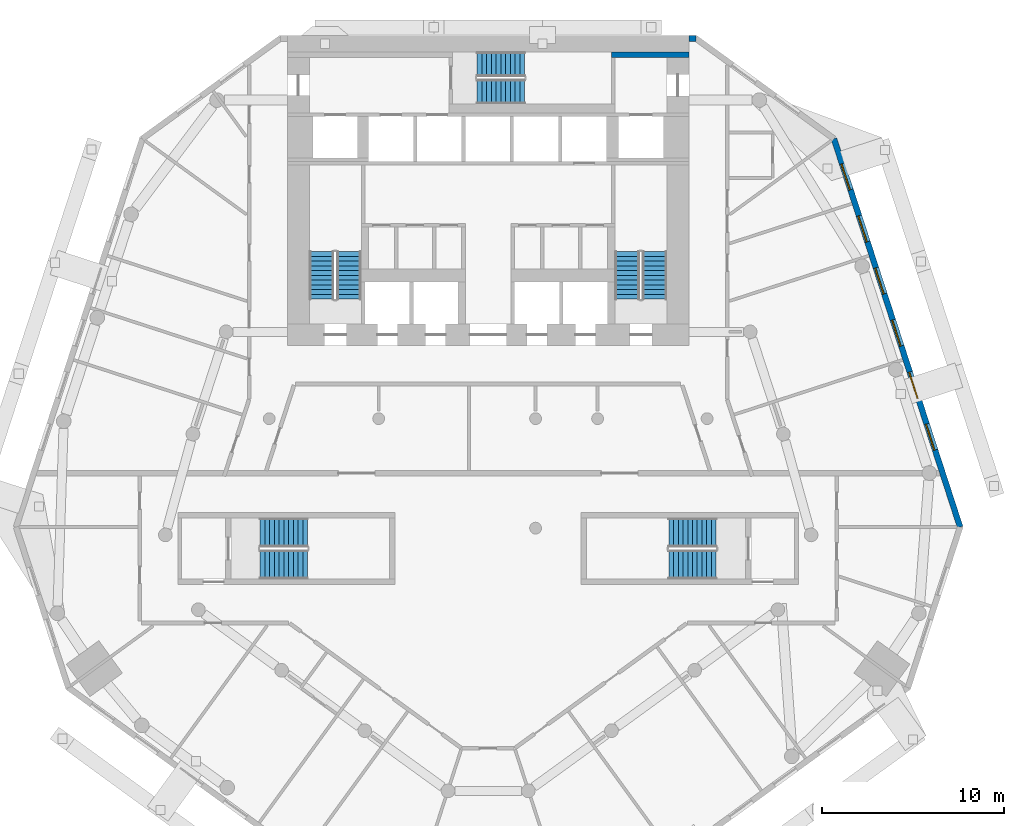
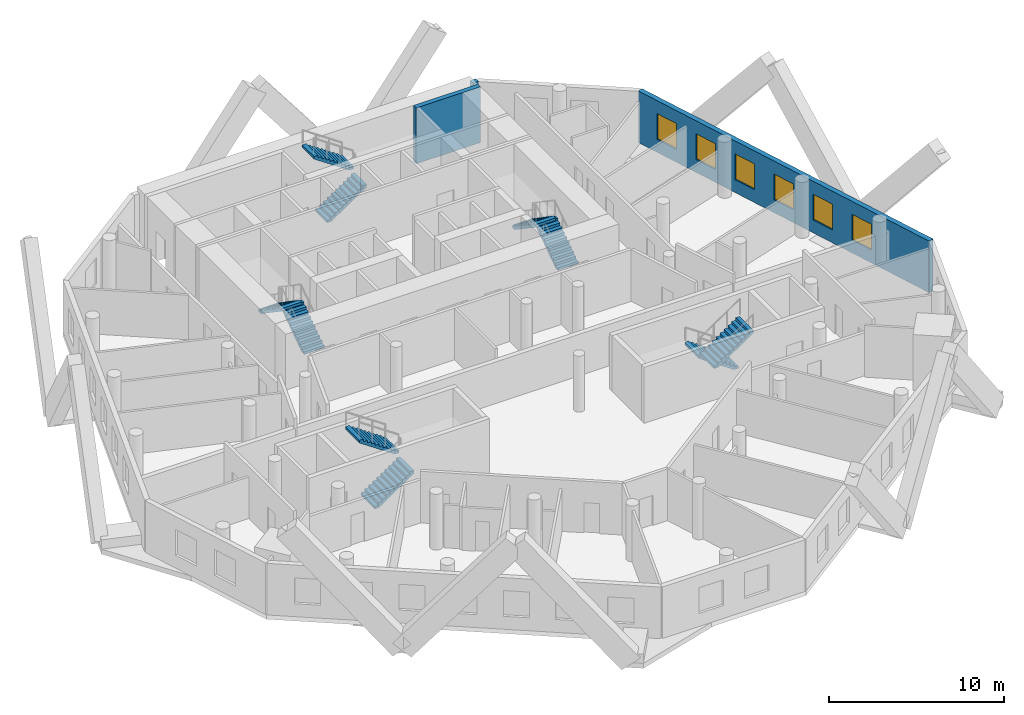
# One storey, part 8 of 10: 10 stair flights, 6 windows, 3 walls, 6 openings, 5 elements without a shape of their own.
"""IFC4 building model written with IfcOpenShell, lengths in metres."""

from ifc_helpers import new_model, si_unit, direction, frame, frame_2d, origin, place, context, subcontext, project, spatial, polyline, rectangle, outline, extrude, material, layer, layer_set, type_object, element, fill, aggregate, save


model = new_model("IFC4")

# Units and contexts
model_context = context("Model", 3, precision=1e-05, world=origin(), true_north=direction((0.0, 1.0)))
body_context = subcontext(model_context, "Body", "Model", "MODEL_VIEW")
ifc_project = project(units=[si_unit("LENGTHUNIT", "METRE"), si_unit("AREAUNIT", "SQUARE_METRE"), si_unit("VOLUMEUNIT", "CUBIC_METRE"), si_unit("PLANEANGLEUNIT", "RADIAN"), si_unit("MASSUNIT", "GRAM", prefix="KILO")], contexts=[model_context])

# Site, building, storey
site_placement = place(None, origin())
site = spatial("IfcSite", under=ifc_project, at=site_placement, CompositionType="ELEMENT")
building_placement = place(site_placement, origin())
building = spatial("IfcBuilding", under=site, at=building_placement, Name="White Candle Pilgrim Tower", CompositionType="ELEMENT")
storey_placement = place(building_placement, frame((0.0, 0.0, 78.0)))
storey = spatial("IfcBuildingStorey", under=building, at=storey_placement, Name="L16", CompositionType="ELEMENT", Elevation=78.0)

# Wall, openings, windows
ifc_material_1 = material(Name="Precast concrete C40/50", Category="concrete")
ifc_layer_1 = layer(ifc_material_1, 0.320068359375)
ifc_layer_set_1 = layer_set([ifc_layer_1], Name="Facade wall EW1 precast concrete C40/50 pier wall with timber-lined reveals")
wall_type_1 = type_object("IfcWallType", Name="Facade wall EW1 precast concrete C40/50 pier wall with timber-lined reveals", PredefinedType="SOLIDWALL", material=ifc_layer_set_1)
wall_1_placement = place(storey_placement, frame((95.868408203125, 61.059814453125, 0.0), z_axis=(0.0, 0.0, 1.0), x_axis=(-0.309020941063, 0.951055233929, 0.0)))
wall_1 = element("IfcWall", 1, at=wall_1_placement, inside=storey, type_object=wall_type_1, Name="Facade wall L16 ENE", PredefinedType="SOLIDWALL", context=body_context, shape_type="SweptSolid", body=[
    extrude(rectangle(XDim=22.37646484375, YDim=0.320068359375, at=frame_2d((11.188232421875, 0.0))), origin(), (0.0, 0.0, 1.0), 3.60009765625),
])
opening_1_placement = place(wall_1_placement, frame((4.438232421875, 0.0, 0.89990234375)))
opening_1 = element("IfcOpeningElement", 2, at=opening_1_placement, cuts=wall_1, Name="Opening W1", PredefinedType="OPENING", context=body_context, shape_type="SweptSolid", body=[
    extrude(rectangle(XDim=1.5, YDim=1.800048828125, at=frame_2d((0.75, 0.89990234375))), frame((0.0, 0.169921875, 0.0), z_axis=(0.0, -1.0, 0.0), x_axis=(1.0, 0.0, 0.0)), (0.0, 0.0, 1.0), 0.340087890625),
])
opening_2_placement = place(wall_1_placement, frame((7.438232421875, 0.0, 0.89990234375)))
opening_2 = element("IfcOpeningElement", 3, at=opening_2_placement, cuts=wall_1, Name="Opening W1", PredefinedType="OPENING", context=body_context, shape_type="SweptSolid", body=[
    extrude(rectangle(XDim=1.5, YDim=1.800048828125, at=frame_2d((0.75, 0.89990234375))), frame((0.0, 0.169921875, 0.0), z_axis=(0.0, -1.0, 0.0), x_axis=(1.0, 0.0, 0.0)), (0.0, 0.0, 1.0), 0.340087890625),
])
opening_3_placement = place(wall_1_placement, frame((10.438232421875, 0.0, 0.89990234375)))
opening_3 = element("IfcOpeningElement", 4, at=opening_3_placement, cuts=wall_1, Name="Opening W1", PredefinedType="OPENING", context=body_context, shape_type="SweptSolid", body=[
    extrude(rectangle(XDim=1.5, YDim=1.800048828125, at=frame_2d((0.75, 0.89990234375))), frame((0.0, 0.169921875, 0.0), z_axis=(0.0, -1.0, 0.0), x_axis=(1.0, 0.0, 0.0)), (0.0, 0.0, 1.0), 0.340087890625),
])
opening_4_placement = place(wall_1_placement, frame((13.438232421875, 0.0, 0.89990234375)))
opening_4 = element("IfcOpeningElement", 5, at=opening_4_placement, cuts=wall_1, Name="Opening W1", PredefinedType="OPENING", context=body_context, shape_type="SweptSolid", body=[
    extrude(rectangle(XDim=1.5, YDim=1.800048828125, at=frame_2d((0.75, 0.89990234375))), frame((0.0, 0.169921875, 0.0), z_axis=(0.0, -1.0, 0.0), x_axis=(1.0, 0.0, 0.0)), (0.0, 0.0, 1.0), 0.340087890625),
])
opening_5_placement = place(wall_1_placement, frame((16.438232421875, 0.0, 0.89990234375)))
opening_5 = element("IfcOpeningElement", 6, at=opening_5_placement, cuts=wall_1, Name="Opening W1", PredefinedType="OPENING", context=body_context, shape_type="SweptSolid", body=[
    extrude(rectangle(XDim=1.5, YDim=1.800048828125, at=frame_2d((0.75, 0.89990234375))), frame((0.0, 0.169921875, 0.0), z_axis=(0.0, -1.0, 0.0), x_axis=(1.0, 0.0, 0.0)), (0.0, 0.0, 1.0), 0.340087890625),
])
opening_6_placement = place(wall_1_placement, frame((19.438232421875, 0.0, 0.89990234375)))
opening_6 = element("IfcOpeningElement", 7, at=opening_6_placement, cuts=wall_1, Name="Opening W1", PredefinedType="OPENING", context=body_context, shape_type="SweptSolid", body=[
    extrude(rectangle(XDim=1.5, YDim=1.800048828125, at=frame_2d((0.75, 0.89990234375))), frame((0.0, 0.169921875, 0.0), z_axis=(0.0, -1.0, 0.0), x_axis=(1.0, 0.0, 0.0)), (0.0, 0.0, 1.0), 0.340087890625),
])
ifc_material_2 = material(Name="Timber frame with triple glazing", Category="wood")
window_type = type_object("IfcWindowType", Name="Window W1 1500x1800 timber frame triple glazing", PartitioningType="SINGLE_PANEL", PredefinedType="WINDOW", material=ifc_material_2)
window_1_placement = place(opening_1_placement, origin())
window_1 = element("IfcWindow", 8, at=window_1_placement, inside=storey, type_object=window_type, Name="Window W1 L16 ENE 2", OverallHeight=1.800048828125, OverallWidth=1.5, PartitioningType="SINGLE_PANEL", PredefinedType="WINDOW", context=body_context, shape_type="SweptSolid", body=[
    extrude(rectangle(XDim=1.5, YDim=1.800048828125, at=frame_2d((0.75, 0.89990234375))), frame((0.0, 0.070068359375, 0.0), z_axis=(0.0, -1.0, 0.0), x_axis=(1.0, 0.0, 0.0)), (0.0, 0.0, 1.0), 0.06005859375),
])
fill(opening_1, window_1)
window_2_placement = place(opening_2_placement, origin())
window_2 = element("IfcWindow", 9, at=window_2_placement, inside=storey, type_object=window_type, Name="Window W1 L16 ENE 3", OverallHeight=1.800048828125, OverallWidth=1.5, PartitioningType="SINGLE_PANEL", PredefinedType="WINDOW", context=body_context, shape_type="SweptSolid", body=[
    extrude(rectangle(XDim=1.5, YDim=1.800048828125, at=frame_2d((0.75, 0.89990234375))), frame((0.0, 0.070068359375, 0.0), z_axis=(0.0, -1.0, 0.0), x_axis=(1.0, 0.0, 0.0)), (0.0, 0.0, 1.0), 0.06005859375),
])
fill(opening_2, window_2)
window_3_placement = place(opening_3_placement, origin())
window_3 = element("IfcWindow", 10, at=window_3_placement, inside=storey, type_object=window_type, Name="Window W1 L16 ENE 4", OverallHeight=1.800048828125, OverallWidth=1.5, PartitioningType="SINGLE_PANEL", PredefinedType="WINDOW", context=body_context, shape_type="SweptSolid", body=[
    extrude(rectangle(XDim=1.5, YDim=1.800048828125, at=frame_2d((0.75, 0.89990234375))), frame((0.0, 0.070068359375, 0.0), z_axis=(0.0, -1.0, 0.0), x_axis=(1.0, 0.0, 0.0)), (0.0, 0.0, 1.0), 0.06005859375),
])
fill(opening_3, window_3)
window_4_placement = place(opening_4_placement, origin())
window_4 = element("IfcWindow", 11, at=window_4_placement, inside=storey, type_object=window_type, Name="Window W1 L16 ENE 5", OverallHeight=1.800048828125, OverallWidth=1.5, PartitioningType="SINGLE_PANEL", PredefinedType="WINDOW", context=body_context, shape_type="SweptSolid", body=[
    extrude(rectangle(XDim=1.5, YDim=1.800048828125, at=frame_2d((0.75, 0.89990234375))), frame((0.0, 0.070068359375, 0.0), z_axis=(0.0, -1.0, 0.0), x_axis=(1.0, 0.0, 0.0)), (0.0, 0.0, 1.0), 0.06005859375),
])
fill(opening_4, window_4)
window_5_placement = place(opening_5_placement, origin())
window_5 = element("IfcWindow", 12, at=window_5_placement, inside=storey, type_object=window_type, Name="Window W1 L16 ENE 6", OverallHeight=1.800048828125, OverallWidth=1.5, PartitioningType="SINGLE_PANEL", PredefinedType="WINDOW", context=body_context, shape_type="SweptSolid", body=[
    extrude(rectangle(XDim=1.5, YDim=1.800048828125, at=frame_2d((0.75, 0.89990234375))), frame((0.0, 0.070068359375, 0.0), z_axis=(0.0, -1.0, 0.0), x_axis=(1.0, 0.0, 0.0)), (0.0, 0.0, 1.0), 0.06005859375),
])
fill(opening_5, window_5)
window_6_placement = place(opening_6_placement, origin())
window_6 = element("IfcWindow", 13, at=window_6_placement, inside=storey, type_object=window_type, Name="Window W1 L16 ENE 7", OverallHeight=1.800048828125, OverallWidth=1.5, PartitioningType="SINGLE_PANEL", PredefinedType="WINDOW", context=body_context, shape_type="SweptSolid", body=[
    extrude(rectangle(XDim=1.5, YDim=1.800048828125, at=frame_2d((0.75, 0.89990234375))), frame((0.0, 0.070068359375, 0.0), z_axis=(0.0, -1.0, 0.0), x_axis=(1.0, 0.0, 0.0)), (0.0, 0.0, 1.0), 0.06005859375),
])
fill(opening_6, window_6)

# Walls
wall_2_placement = place(storey_placement, frame((81.385009765625, 87.840087890625, 0.0), z_axis=(0.0, 0.0, 1.0), x_axis=(-1.0, 0.0, 0.0)))
element("IfcWall", 14, at=wall_2_placement, inside=storey, type_object=wall_type_1, Name="Facade wall L16 N", PredefinedType="SOLIDWALL", context=body_context, shape_type="SweptSolid", body=[
    extrude(rectangle(XDim=0.385009765625, YDim=0.320068359375, at=frame_2d((0.1923828125, 0.0))), origin(), (0.0, 0.0, 1.0), 3.60009765625),
])
ifc_material_3 = material(Name="Concrete C70/85", Category="concrete")
ifc_layer_2 = layer(ifc_material_3, 0.300048828125)
ifc_layer_set_2 = layer_set([ifc_layer_2], Name="Stair shaft wall 300 mm Concrete C70/85")
wall_type_2 = type_object("IfcWallType", Name="Stair shaft wall 300 mm Concrete C70/85", PredefinedType="SHEAR", material=ifc_layer_set_2)
wall_3_placement = place(storey_placement, frame((76.75, 86.949951171875, 0.0), z_axis=(0.0, 0.0, 1.0), x_axis=(1.0, 0.0, 0.0)))
element("IfcWall", 15, at=wall_3_placement, inside=storey, type_object=wall_type_2, Name="WL-L16-C52", PredefinedType="SHEAR", context=body_context, shape_type="SweptSolid", body=[
    extrude(rectangle(XDim=4.25, YDim=0.300048828125, at=frame_2d((2.125, 0.0))), origin(), (0.0, 0.0, 1.0), 3.89990234375),
])

# Stair, stair flights
ifc_material_4 = material(Name="Concrete C40/50", Category="concrete")
stair_type_1 = type_object("IfcStairType", Name="Exit stair 1 flight width 1350 mm", PredefinedType="HALF_TURN_STAIR", material=ifc_material_4)
stair_1_placement = place(storey_placement, origin())
stair_1 = element("IfcStair", 16, at=stair_1_placement, inside=storey, type_object=stair_type_1, Name="L16 stair 1", PredefinedType="NOTDEFINED")
ifc_layer_3 = layer(ifc_material_4, 0.14990234375)
ifc_layer_set_3 = layer_set([ifc_layer_3], Name="Stair flight Concrete C40/50")
stair_flight_type = type_object("IfcStairFlightType", Name="Stair flight Concrete C40/50", PredefinedType="STRAIGHT", material=ifc_layer_set_3)
stair_flight_1_placement = place(storey_placement, frame((62.375, 73.550048828125, 0.0), z_axis=(0.0, 0.0, 1.0), x_axis=(0.0, 1.0, 0.0)))
stair_flight_1 = element("IfcStairFlight", 17, at=stair_flight_1_placement, type_object=stair_flight_type, Name="ST1 flight 1", NumberOfRisers=11, NumberOfTreads=10, PredefinedType="NOTDEFINED", RiserHeight=0.177272727, TreadLength=0.26, context=body_context, shape_type="SweptSolid", body=[
    extrude(outline(polyline([(0.0, 0.0), (0.0, 0.17724609375), (0.260009765625, 0.17724609375), (0.260009765625, 0.3544921875), (0.52001953125, 0.3544921875), (0.52001953125, 0.53173828125), (0.780029296875, 0.53173828125), (0.780029296875, 0.708984375), (1.0400390625, 0.708984375), (1.0400390625, 0.886474609375), (1.300048828125, 0.886474609375), (1.300048828125, 1.063720703125), (1.56005859375, 1.063720703125), (1.56005859375, 1.240966796875), (1.820068359375, 1.240966796875), (1.820068359375, 1.418212890625), (2.080078125, 1.418212890625), (2.080078125, 1.595458984375), (2.340087890625, 1.595458984375), (2.340087890625, 1.772705078125), (2.60009765625, 1.772705078125), (2.60009765625, 1.949951171875), (2.60009765625, 1.59130859375), (0.26611328125, 0.0), (0.0, 0.0)])), frame((0.0, 0.675048828125, 0.0), z_axis=(0.0, -1.0, 0.0), x_axis=(1.0, 0.0, 0.0)), (0.0, 0.0, 1.0), 1.35009765625),
])
stair_flight_2_placement = place(storey_placement, frame((60.875, 76.14990234375, 1.949951171875), z_axis=(0.0, 0.0, 1.0), x_axis=(0.0, -1.0, 0.0)))
stair_flight_2 = element("IfcStairFlight", 18, at=stair_flight_2_placement, type_object=stair_flight_type, Name="ST1 flight 2", NumberOfRisers=11, NumberOfTreads=10, PredefinedType="NOTDEFINED", RiserHeight=0.177272727, TreadLength=0.26, context=body_context, shape_type="SweptSolid", body=[
    extrude(outline(polyline([(0.0, 0.0), (0.0, 0.17724609375), (0.260009765625, 0.17724609375), (0.260009765625, 0.3544921875), (0.52001953125, 0.3544921875), (0.52001953125, 0.53173828125), (0.780029296875, 0.53173828125), (0.780029296875, 0.708984375), (1.0400390625, 0.708984375), (1.0400390625, 0.886474609375), (1.300048828125, 0.886474609375), (1.300048828125, 1.063720703125), (1.56005859375, 1.063720703125), (1.56005859375, 1.240966796875), (1.820068359375, 1.240966796875), (1.820068359375, 1.418212890625), (2.080078125, 1.418212890625), (2.080078125, 1.595458984375), (2.340087890625, 1.595458984375), (2.340087890625, 1.772705078125), (2.60009765625, 1.772705078125), (2.60009765625, 1.949951171875), (2.60009765625, 1.59130859375), (0.26611328125, 0.0), (0.0, 0.0)])), frame((0.0, 0.675048828125, 0.0), z_axis=(0.0, -1.0, 0.0), x_axis=(1.0, 0.0, 0.0)), (0.0, 0.0, 1.0), 1.35009765625),
])
aggregate(stair_1, [stair_flight_1, stair_flight_2])

stair_type_2 = type_object("IfcStairType", Name="Exit stair 2 flight width 1350 mm", PredefinedType="HALF_TURN_STAIR", material=ifc_material_4)
stair_2_placement = place(storey_placement, origin())
stair_2 = element("IfcStair", 19, at=stair_2_placement, inside=storey, type_object=stair_type_2, Name="L16 stair 2", PredefinedType="NOTDEFINED")
stair_flight_3_placement = place(storey_placement, frame((79.125, 73.550048828125, 0.0), z_axis=(0.0, 0.0, 1.0), x_axis=(0.0, 1.0, 0.0)))
stair_flight_3 = element("IfcStairFlight", 20, at=stair_flight_3_placement, type_object=stair_flight_type, Name="ST2 flight 1", NumberOfRisers=11, NumberOfTreads=10, PredefinedType="NOTDEFINED", RiserHeight=0.177272727, TreadLength=0.26, context=body_context, shape_type="SweptSolid", body=[
    extrude(outline(polyline([(0.0, 0.0), (0.0, 0.17724609375), (0.260009765625, 0.17724609375), (0.260009765625, 0.3544921875), (0.52001953125, 0.3544921875), (0.52001953125, 0.53173828125), (0.780029296875, 0.53173828125), (0.780029296875, 0.708984375), (1.0400390625, 0.708984375), (1.0400390625, 0.886474609375), (1.300048828125, 0.886474609375), (1.300048828125, 1.063720703125), (1.56005859375, 1.063720703125), (1.56005859375, 1.240966796875), (1.820068359375, 1.240966796875), (1.820068359375, 1.418212890625), (2.080078125, 1.418212890625), (2.080078125, 1.595458984375), (2.340087890625, 1.595458984375), (2.340087890625, 1.772705078125), (2.60009765625, 1.772705078125), (2.60009765625, 1.949951171875), (2.60009765625, 1.59130859375), (0.26611328125, 0.0), (0.0, 0.0)])), frame((0.0, 0.675048828125, 0.0), z_axis=(0.0, -1.0, 0.0), x_axis=(1.0, 0.0, 0.0)), (0.0, 0.0, 1.0), 1.35009765625),
])
stair_flight_4_placement = place(storey_placement, frame((77.625, 76.14990234375, 1.949951171875), z_axis=(0.0, 0.0, 1.0), x_axis=(0.0, -1.0, 0.0)))
stair_flight_4 = element("IfcStairFlight", 21, at=stair_flight_4_placement, type_object=stair_flight_type, Name="ST2 flight 2", NumberOfRisers=11, NumberOfTreads=10, PredefinedType="NOTDEFINED", RiserHeight=0.177272727, TreadLength=0.26, context=body_context, shape_type="SweptSolid", body=[
    extrude(outline(polyline([(0.0, 0.0), (0.0, 0.17724609375), (0.260009765625, 0.17724609375), (0.260009765625, 0.3544921875), (0.52001953125, 0.3544921875), (0.52001953125, 0.53173828125), (0.780029296875, 0.53173828125), (0.780029296875, 0.708984375), (1.0400390625, 0.708984375), (1.0400390625, 0.886474609375), (1.300048828125, 0.886474609375), (1.300048828125, 1.063720703125), (1.56005859375, 1.063720703125), (1.56005859375, 1.240966796875), (1.820068359375, 1.240966796875), (1.820068359375, 1.418212890625), (2.080078125, 1.418212890625), (2.080078125, 1.595458984375), (2.340087890625, 1.595458984375), (2.340087890625, 1.772705078125), (2.60009765625, 1.772705078125), (2.60009765625, 1.949951171875), (2.60009765625, 1.59130859375), (0.26611328125, 0.0), (0.0, 0.0)])), frame((0.0, 0.675048828125, 0.0), z_axis=(0.0, -1.0, 0.0), x_axis=(1.0, 0.0, 0.0)), (0.0, 0.0, 1.0), 1.35009765625),
])
aggregate(stair_2, [stair_flight_3, stair_flight_4])

stair_type_3 = type_object("IfcStairType", Name="Exit stair 3 flight width 1350 mm", PredefinedType="HALF_TURN_STAIR", material=ifc_material_4)
stair_3_placement = place(storey_placement, origin())
stair_3 = element("IfcStair", 22, at=stair_3_placement, inside=storey, type_object=stair_type_3, Name="L16 stair 3", PredefinedType="NOTDEFINED")
stair_flight_5_placement = place(storey_placement, frame((69.39990234375, 84.925048828125, 0.0), z_axis=(0.0, 0.0, 1.0), x_axis=(1.0, 0.0, 0.0)))
stair_flight_5 = element("IfcStairFlight", 23, at=stair_flight_5_placement, type_object=stair_flight_type, Name="ST3 flight 1", NumberOfRisers=11, NumberOfTreads=10, PredefinedType="NOTDEFINED", RiserHeight=0.177272727, TreadLength=0.26, context=body_context, shape_type="SweptSolid", body=[
    extrude(outline(polyline([(0.0, 0.0), (0.0, 0.17724609375), (0.260009765625, 0.17724609375), (0.260009765625, 0.3544921875), (0.52001953125, 0.3544921875), (0.52001953125, 0.53173828125), (0.780029296875, 0.53173828125), (0.780029296875, 0.708984375), (1.0400390625, 0.708984375), (1.0400390625, 0.886474609375), (1.300048828125, 0.886474609375), (1.300048828125, 1.063720703125), (1.56005859375, 1.063720703125), (1.56005859375, 1.240966796875), (1.820068359375, 1.240966796875), (1.820068359375, 1.418212890625), (2.080078125, 1.418212890625), (2.080078125, 1.595458984375), (2.340087890625, 1.595458984375), (2.340087890625, 1.772705078125), (2.60009765625, 1.772705078125), (2.60009765625, 1.949951171875), (2.60009765625, 1.59130859375), (0.26611328125, 0.0), (0.0, 0.0)])), frame((0.0, 0.675048828125, 0.0), z_axis=(0.0, -1.0, 0.0), x_axis=(1.0, 0.0, 0.0)), (0.0, 0.0, 1.0), 1.35009765625),
])
stair_flight_6_placement = place(storey_placement, frame((72.0, 86.425048828125, 1.949951171875), z_axis=(0.0, 0.0, 1.0), x_axis=(-1.0, 0.0, 0.0)))
stair_flight_6 = element("IfcStairFlight", 24, at=stair_flight_6_placement, type_object=stair_flight_type, Name="ST3 flight 2", NumberOfRisers=11, NumberOfTreads=10, PredefinedType="NOTDEFINED", RiserHeight=0.177272727, TreadLength=0.26, context=body_context, shape_type="SweptSolid", body=[
    extrude(outline(polyline([(0.0, 0.0), (0.0, 0.17724609375), (0.260009765625, 0.17724609375), (0.260009765625, 0.3544921875), (0.52001953125, 0.3544921875), (0.52001953125, 0.53173828125), (0.780029296875, 0.53173828125), (0.780029296875, 0.708984375), (1.0400390625, 0.708984375), (1.0400390625, 0.886474609375), (1.300048828125, 0.886474609375), (1.300048828125, 1.063720703125), (1.56005859375, 1.063720703125), (1.56005859375, 1.240966796875), (1.820068359375, 1.240966796875), (1.820068359375, 1.418212890625), (2.080078125, 1.418212890625), (2.080078125, 1.595458984375), (2.340087890625, 1.595458984375), (2.340087890625, 1.772705078125), (2.60009765625, 1.772705078125), (2.60009765625, 1.949951171875), (2.60009765625, 1.59130859375), (0.26611328125, 0.0), (0.0, 0.0)])), frame((0.0, 0.675048828125, 0.0), z_axis=(0.0, -1.0, 0.0), x_axis=(1.0, 0.0, 0.0)), (0.0, 0.0, 1.0), 1.35009765625),
])
aggregate(stair_3, [stair_flight_5, stair_flight_6])

stair_type_4 = type_object("IfcStairType", Name="Exit stair 4 flight width 1600 mm", PredefinedType="HALF_TURN_STAIR", material=ifc_material_4)
stair_4_placement = place(storey_placement, origin())
stair_4 = element("IfcStair", 25, at=stair_4_placement, inside=storey, type_object=stair_type_4, Name="L16 stair 4", PredefinedType="NOTDEFINED")
stair_flight_7_placement = place(storey_placement, frame((82.5, 60.75, 0.0), z_axis=(0.0, 0.0, 1.0), x_axis=(-1.0, 0.0, 0.0)))
stair_flight_7 = element("IfcStairFlight", 26, at=stair_flight_7_placement, type_object=stair_flight_type, Name="ST4 flight 1", NumberOfRisers=11, NumberOfTreads=10, PredefinedType="NOTDEFINED", RiserHeight=0.177272727, TreadLength=0.26, context=body_context, shape_type="SweptSolid", body=[
    extrude(outline(polyline([(0.0, 0.0), (0.0, 0.17724609375), (0.260009765625, 0.17724609375), (0.260009765625, 0.3544921875), (0.52001953125, 0.3544921875), (0.52001953125, 0.53173828125), (0.780029296875, 0.53173828125), (0.780029296875, 0.708984375), (1.0400390625, 0.708984375), (1.0400390625, 0.886474609375), (1.300048828125, 0.886474609375), (1.300048828125, 1.063720703125), (1.56005859375, 1.063720703125), (1.56005859375, 1.240966796875), (1.820068359375, 1.240966796875), (1.820068359375, 1.418212890625), (2.080078125, 1.418212890625), (2.080078125, 1.595458984375), (2.340087890625, 1.595458984375), (2.340087890625, 1.772705078125), (2.60009765625, 1.772705078125), (2.60009765625, 1.949951171875), (2.60009765625, 1.59130859375), (0.26611328125, 0.0), (0.0, 0.0)])), frame((0.0, 0.800048828125, 0.0), z_axis=(0.0, -1.0, 0.0), x_axis=(1.0, 0.0, 0.0)), (0.0, 0.0, 1.0), 1.60009765625),
])
stair_flight_8_placement = place(storey_placement, frame((79.89990234375, 59.0, 1.949951171875), z_axis=(0.0, 0.0, 1.0), x_axis=(1.0, 0.0, 0.0)))
stair_flight_8 = element("IfcStairFlight", 27, at=stair_flight_8_placement, type_object=stair_flight_type, Name="ST4 flight 2", NumberOfRisers=11, NumberOfTreads=10, PredefinedType="NOTDEFINED", RiserHeight=0.177272727, TreadLength=0.26, context=body_context, shape_type="SweptSolid", body=[
    extrude(outline(polyline([(0.0, 0.0), (0.0, 0.17724609375), (0.260009765625, 0.17724609375), (0.260009765625, 0.3544921875), (0.52001953125, 0.3544921875), (0.52001953125, 0.53173828125), (0.780029296875, 0.53173828125), (0.780029296875, 0.708984375), (1.0400390625, 0.708984375), (1.0400390625, 0.886474609375), (1.300048828125, 0.886474609375), (1.300048828125, 1.063720703125), (1.56005859375, 1.063720703125), (1.56005859375, 1.240966796875), (1.820068359375, 1.240966796875), (1.820068359375, 1.418212890625), (2.080078125, 1.418212890625), (2.080078125, 1.595458984375), (2.340087890625, 1.595458984375), (2.340087890625, 1.772705078125), (2.60009765625, 1.772705078125), (2.60009765625, 1.949951171875), (2.60009765625, 1.59130859375), (0.26611328125, 0.0), (0.0, 0.0)])), frame((0.0, 0.800048828125, 0.0), z_axis=(0.0, -1.0, 0.0), x_axis=(1.0, 0.0, 0.0)), (0.0, 0.0, 1.0), 1.60009765625),
])
aggregate(stair_4, [stair_flight_7, stair_flight_8])

stair_type_5 = type_object("IfcStairType", Name="Exit stair 5 flight width 1600 mm", PredefinedType="HALF_TURN_STAIR", material=ifc_material_4)
stair_5_placement = place(storey_placement, origin())
stair_5 = element("IfcStair", 28, at=stair_5_placement, inside=storey, type_object=stair_type_5, Name="L16 stair 5", PredefinedType="NOTDEFINED")
stair_flight_9_placement = place(storey_placement, frame((57.5, 59.0, 0.0), z_axis=(0.0, 0.0, 1.0), x_axis=(1.0, 0.0, 0.0)))
stair_flight_9 = element("IfcStairFlight", 29, at=stair_flight_9_placement, type_object=stair_flight_type, Name="ST5 flight 1", NumberOfRisers=11, NumberOfTreads=10, PredefinedType="NOTDEFINED", RiserHeight=0.177272727, TreadLength=0.26, context=body_context, shape_type="SweptSolid", body=[
    extrude(outline(polyline([(0.0, 0.0), (0.0, 0.17724609375), (0.260009765625, 0.17724609375), (0.260009765625, 0.3544921875), (0.52001953125, 0.3544921875), (0.52001953125, 0.53173828125), (0.780029296875, 0.53173828125), (0.780029296875, 0.708984375), (1.0400390625, 0.708984375), (1.0400390625, 0.886474609375), (1.300048828125, 0.886474609375), (1.300048828125, 1.063720703125), (1.56005859375, 1.063720703125), (1.56005859375, 1.240966796875), (1.820068359375, 1.240966796875), (1.820068359375, 1.418212890625), (2.080078125, 1.418212890625), (2.080078125, 1.595458984375), (2.340087890625, 1.595458984375), (2.340087890625, 1.772705078125), (2.60009765625, 1.772705078125), (2.60009765625, 1.949951171875), (2.60009765625, 1.59130859375), (0.26611328125, 0.0), (0.0, 0.0)])), frame((0.0, 0.800048828125, 0.0), z_axis=(0.0, -1.0, 0.0), x_axis=(1.0, 0.0, 0.0)), (0.0, 0.0, 1.0), 1.60009765625),
])
stair_flight_10_placement = place(storey_placement, frame((60.10009765625, 60.75, 1.949951171875), z_axis=(0.0, 0.0, 1.0), x_axis=(-1.0, 0.0, 0.0)))
stair_flight_10 = element("IfcStairFlight", 30, at=stair_flight_10_placement, type_object=stair_flight_type, Name="ST5 flight 2", NumberOfRisers=11, NumberOfTreads=10, PredefinedType="NOTDEFINED", RiserHeight=0.177272727, TreadLength=0.26, context=body_context, shape_type="SweptSolid", body=[
    extrude(outline(polyline([(0.0, 0.0), (0.0, 0.17724609375), (0.260009765625, 0.17724609375), (0.260009765625, 0.3544921875), (0.52001953125, 0.3544921875), (0.52001953125, 0.53173828125), (0.780029296875, 0.53173828125), (0.780029296875, 0.708984375), (1.0400390625, 0.708984375), (1.0400390625, 0.886474609375), (1.300048828125, 0.886474609375), (1.300048828125, 1.063720703125), (1.56005859375, 1.063720703125), (1.56005859375, 1.240966796875), (1.820068359375, 1.240966796875), (1.820068359375, 1.418212890625), (2.080078125, 1.418212890625), (2.080078125, 1.595458984375), (2.340087890625, 1.595458984375), (2.340087890625, 1.772705078125), (2.60009765625, 1.772705078125), (2.60009765625, 1.949951171875), (2.60009765625, 1.59130859375), (0.26611328125, 0.0), (0.0, 0.0)])), frame((0.0, 0.800048828125, 0.0), z_axis=(0.0, -1.0, 0.0), x_axis=(1.0, 0.0, 0.0)), (0.0, 0.0, 1.0), 1.60009765625),
])
aggregate(stair_5, [stair_flight_9, stair_flight_10])

save(model, "model.ifc")
